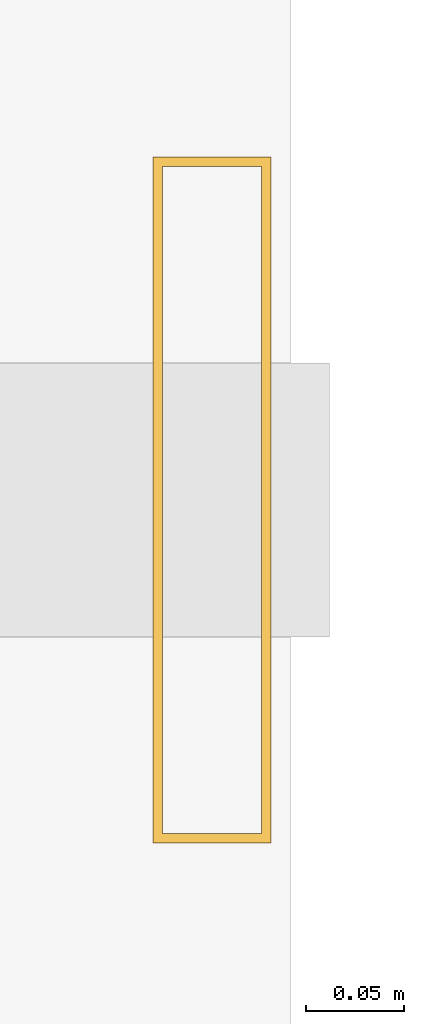
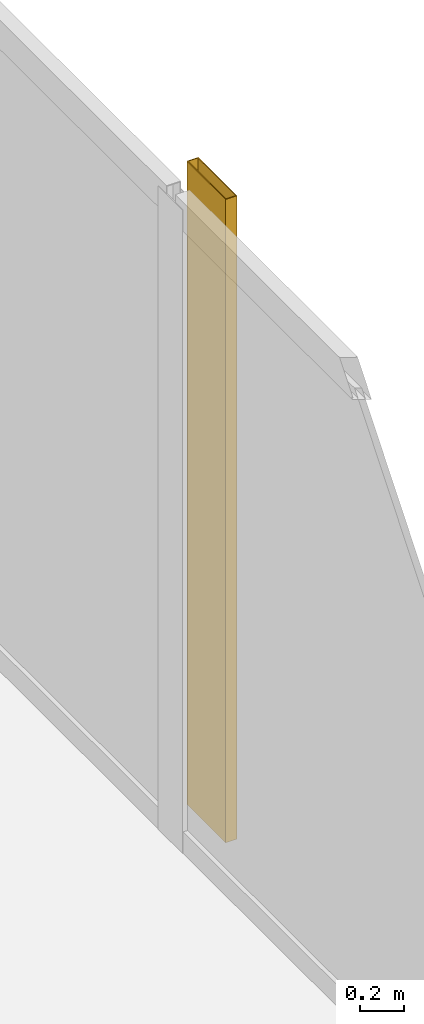
# One storey, part 28 of 28: 1 shading device.
"""IFC4 building model written with IfcOpenShell, lengths in metres."""

import ifcopenshell
import ifcopenshell.guid

model = None  # the IFC model being written
_history = None  # IfcOwnerHistory: only IFC2X3 demands one
_inside = {}  # id of a spatial element -> (the spatial element, [elements in it])
_under = {}  # id of a project, library or spatial element -> (it, [spatial elements below it])
_declared = {}  # id of a project -> (the project, [libraries it declares])
_typed = {}  # id of a type object -> (the type object, [elements of that type])
_made_of = {}  # id of a material, layer set ... -> (it, [elements and type objects made of it])


def new_model(schema):
    """Start an empty IFC model of exactly this schema.

    Asked for "IFC4X3", IfcOpenShell would pick the latest addendum, in which some entities
    have other attributes; the version numbers below select the first issue.
    IFC2X3 requires an IfcOwnerHistory on every rooted entity: one is made here for all.
    """
    global model, _history
    if schema == "IFC4X3":
        model = ifcopenshell.file(schema_version=(4, 3, 0, 0))
    else:
        model = ifcopenshell.file(schema=schema)
    _inside.clear()
    _under.clear()
    _declared.clear()
    _typed.clear()
    _made_of.clear()
    _history = None
    if model.schema == "IFC2X3":
        org = make("IfcOrganization", Name="unknown")
        user = make(
            "IfcPersonAndOrganization",
            ThePerson=make("IfcPerson", FamilyName="unknown"),
            TheOrganization=org,
        )
        app = make(
            "IfcApplication",
            ApplicationDeveloper=org,
            Version="unknown",
            ApplicationFullName="unknown",
            ApplicationIdentifier="unknown",
        )
        _history = make(
            "IfcOwnerHistory",
            OwningUser=user,
            OwningApplication=app,
            ChangeAction="ADDED",
            CreationDate=0,
        )
    return model


def make(cls, **values):
    """One entity of the class cls with the attributes given. An attribute that is None is left unset."""
    return model.create_entity(
        cls, **{name: value for name, value in values.items() if value is not None}
    )


def rooted(cls, **values):
    """An entity with a GlobalId (a new one), such as an element, a storey or a relation."""
    return make(cls, GlobalId=ifcopenshell.guid.new(), OwnerHistory=_history, **values)


def si_unit(unit_type, name, prefix=None):
    """IfcSIUnit, for example si_unit("LENGTHUNIT", "METRE", prefix="MILLI")."""
    return make("IfcSIUnit", UnitType=unit_type, Prefix=prefix, Name=name)


def assignment(units):
    """IfcUnitAssignment: the units of a project."""
    return None if units is None else make("IfcUnitAssignment", Units=units)


def point(xyz):
    """IfcCartesianPoint."""
    return None if xyz is None else make("IfcCartesianPoint", Coordinates=xyz)


def direction(xyz):
    """IfcDirection."""
    return None if xyz is None else make("IfcDirection", DirectionRatios=xyz)


def frame(location, z_axis=None, x_axis=None):
    """IfcAxis2Placement3D, a coordinate frame: its origin and axes. An axis left out is left unset."""
    return make(
        "IfcAxis2Placement3D",
        Location=point(location),
        Axis=direction(z_axis),
        RefDirection=direction(x_axis),
    )


def frame_2d(location, x_axis=None):
    """IfcAxis2Placement2D, a coordinate frame in the plane: its origin and x axis."""
    return make(
        "IfcAxis2Placement2D", Location=point(location), RefDirection=direction(x_axis)
    )


def origin():
    """The frame at (0, 0, 0) with its axes left unset."""
    return frame((0.0, 0.0, 0.0))


def origin_2d():
    """The frame at (0, 0) in the plane with its x axis left unset."""
    return frame_2d((0.0, 0.0))


def place(relative_to, where):
    """IfcLocalPlacement: puts the frame where relative to a parent placement (None: the world)."""
    return make(
        "IfcLocalPlacement", PlacementRelTo=relative_to, RelativePlacement=where
    )


def context(
    kind, dimensions, precision=None, world=None, true_north=None, identifier=None
):
    """IfcGeometricRepresentationContext, for example the 3D "Model" context."""
    return make(
        "IfcGeometricRepresentationContext",
        ContextIdentifier=identifier,
        ContextType=kind,
        CoordinateSpaceDimension=dimensions,
        Precision=precision,
        WorldCoordinateSystem=world,
        TrueNorth=true_north,
    )


def subcontext(parent, identifier, kind, view, scale=None):
    """IfcGeometricRepresentationSubContext, for example "Body" below "Model"."""
    return make(
        "IfcGeometricRepresentationSubContext",
        ContextIdentifier=identifier,
        ContextType=kind,
        ParentContext=parent,
        TargetScale=scale,
        TargetView=view,
    )


def project(units=None, contexts=None):
    """IfcProject with its units and contexts."""
    return rooted(
        "IfcProject",
        Name="project",
        RepresentationContexts=contexts,
        UnitsInContext=assignment(units),
    )


def spatial(cls, under=None, at=None, **own):
    """A site, building, storey or space (cls), placed at a placement, below another one or the project."""
    s = rooted(cls, ObjectPlacement=at, **own)
    if under is not None:
        _under.setdefault(under.id(), (under, []))[1].append(s)
    return s


def profile(cls, at=None, kind="AREA", **sizes):
    """A parametric profile (cls). Its sizes go by their IFC names, for example OverallWidth=200.0."""
    return make(cls, ProfileType=kind, Position=at, **sizes)


def hollow_rectangle(**sizes):
    """IfcRectangleHollowProfileDef."""
    return profile("IfcRectangleHollowProfileDef", **sizes)


def extrude(swept, where, along, depth):
    """IfcExtrudedAreaSolid: the profile swept, set in the frame where, extruded along a direction by depth."""
    return make(
        "IfcExtrudedAreaSolid",
        SweptArea=swept,
        Position=where,
        ExtrudedDirection=direction(along),
        Depth=depth,
    )


def shape(context_of_items, identifier, shape_type, items):
    """IfcShapeRepresentation: the items that make up one representation, for example the "Body"."""
    return make(
        "IfcShapeRepresentation",
        ContextOfItems=context_of_items,
        RepresentationIdentifier=identifier,
        RepresentationType=shape_type,
        Items=items,
    )


def material(Name=None, Category=None):
    """IfcMaterial."""
    return make("IfcMaterial", Name=Name, Category=Category)


def material_profile(
    of_material, cross_section, Name=None, Category=None, Priority=None
):
    """IfcMaterialProfile: a cross section and its material."""
    return make(
        "IfcMaterialProfile",
        Name=Name,
        Material=of_material,
        Profile=cross_section,
        Priority=Priority,
        Category=Category,
    )


def profile_set(profiles, Name=None, composite=None):
    """IfcMaterialProfileSet."""
    return make(
        "IfcMaterialProfileSet",
        Name=Name,
        MaterialProfiles=profiles,
        CompositeProfile=composite,
    )


def made_of(thing, what):
    """Note that an element or type object is made of a material, layer set ...; save() writes the relation."""
    if what is not None:
        _made_of.setdefault(what.id(), (what, []))[1].append(thing)
    return thing


def type_object(cls, material=None, **own):
    """A type object (cls), such as IfcWallType, which elements share."""
    return made_of(rooted(cls, **own), material)


def element(
    cls,
    number,
    at=None,
    inside=None,
    cuts=None,
    type_object=None,
    material=None,
    context=None,
    identifier="Body",
    shape_type=None,
    held_by="IfcProductDefinitionShape",
    body=None,
    shapes=None,
    **own,
):
    """One element of the class cls, such as IfcWall. Its Tag is "e" and its number.

    at: its placement. inside: the storey or other place that contains it. cuts: it is an
    opening in that element (IfcRelVoidsElement). A single representation is given by context,
    identifier, shape_type and body (its items); several are given by shapes. held_by: the class
    of the entity that holds the representations. save() writes the other relations.
    """
    e = rooted(cls, Tag="e%d" % number, ObjectPlacement=at, **own)
    if body is not None:
        shapes = [shape(context, identifier, shape_type, body)]
    if shapes is not None:
        e.Representation = make(held_by, Representations=shapes)
    if inside is not None:
        _inside.setdefault(inside.id(), (inside, []))[1].append(e)
    if cuts is not None:
        rooted(
            "IfcRelVoidsElement", RelatingBuildingElement=cuts, RelatedOpeningElement=e
        )
    if type_object is not None:
        _typed.setdefault(type_object.id(), (type_object, []))[1].append(e)
    return made_of(e, material)


def aggregate(whole, parts):
    """IfcRelAggregates: a whole, such as a stair, and the parts it consists of."""
    return rooted("IfcRelAggregates", RelatingObject=whole, RelatedObjects=parts)


def save(model, path):
    """Write the relations noted so far, then the file.

    IfcRelAggregates (storeys below a building ...), IfcRelContainedInSpatialStructure (elements
    in a storey), IfcRelDefinesByType, IfcRelAssociatesMaterial and IfcRelDeclares: one each for
    every whole, place, type object, material and project.
    """
    for whole, parts in _under.values():
        aggregate(whole, parts)
    for where, things in _inside.values():
        rooted(
            "IfcRelContainedInSpatialStructure",
            RelatedElements=things,
            RelatingStructure=where,
        )
    for kind, things in _typed.values():
        rooted("IfcRelDefinesByType", RelatedObjects=things, RelatingType=kind)
    for what, things in _made_of.values():
        rooted("IfcRelAssociatesMaterial", RelatedObjects=things, RelatingMaterial=what)
    for by, libraries in _declared.values():
        rooted("IfcRelDeclares", RelatingContext=by, RelatedDefinitions=libraries)
    model.write(path)


model = new_model("IFC4")

# Units and contexts
model_context = context("Model", 3, precision=1e-05, world=origin(), true_north=direction((0.0, 1.0)))
body_context = subcontext(model_context, "Body", "Model", "MODEL_VIEW")
ifc_project = project(units=[si_unit("LENGTHUNIT", "METRE"), si_unit("AREAUNIT", "SQUARE_METRE"), si_unit("VOLUMEUNIT", "CUBIC_METRE"), si_unit("PLANEANGLEUNIT", "RADIAN"), si_unit("MASSUNIT", "GRAM", prefix="KILO")], contexts=[model_context])

# Site, building, storey
site_placement = place(None, origin())
site = spatial("IfcSite", under=ifc_project, at=site_placement, CompositionType="ELEMENT")
building_placement = place(site_placement, origin())
building = spatial("IfcBuilding", under=site, at=building_placement, Name="Kolvaren Waterfront Exchange", CompositionType="ELEMENT")
storey_placement = place(building_placement, frame((0.0, 0.0, 41.0)))
storey = spatial("IfcBuildingStorey", under=building, at=storey_placement, Name="L10", CompositionType="ELEMENT", Elevation=41.0)

# Shading device
ifc_material = material(Name="Anodised bronze aluminium 6063-T6", Category="aluminium")
ifc_material_profile = material_profile(ifc_material, hollow_rectangle(XDim=0.06005859375, YDim=0.35009765625, WallThickness=0.0048828125, at=origin_2d()), Name="BRZ-FIN-350x60x5")
ifc_profile_set = profile_set([ifc_material_profile], Name="Anodised bronze aluminium 6063-T6")
shading_device_type = type_object("IfcShadingDeviceType", Name="ARC-FIN-350", PredefinedType="USERDEFINED", material=ifc_profile_set)
shading_device_placement = place(storey_placement, frame((25.56005859375, 36.0, 0.0), z_axis=(0.0, 0.0, 1.0), x_axis=(1.0, 0.0, 0.0)))
element("IfcShadingDevice", 1, at=shading_device_placement, inside=storey, type_object=shading_device_type, Name="L10 anodised bronze solar shading fin FIN-L10-E3", ObjectType="SOLAR FIN", PredefinedType="USERDEFINED", context=body_context, shape_type="SweptSolid", body=[
    extrude(hollow_rectangle(XDim=0.06005859375, YDim=0.35009765625, WallThickness=0.0048828125, at=origin_2d()), origin(), (0.0, 0.0, 1.0), 3.5400390625),
])

save(model, "model.ifc")
